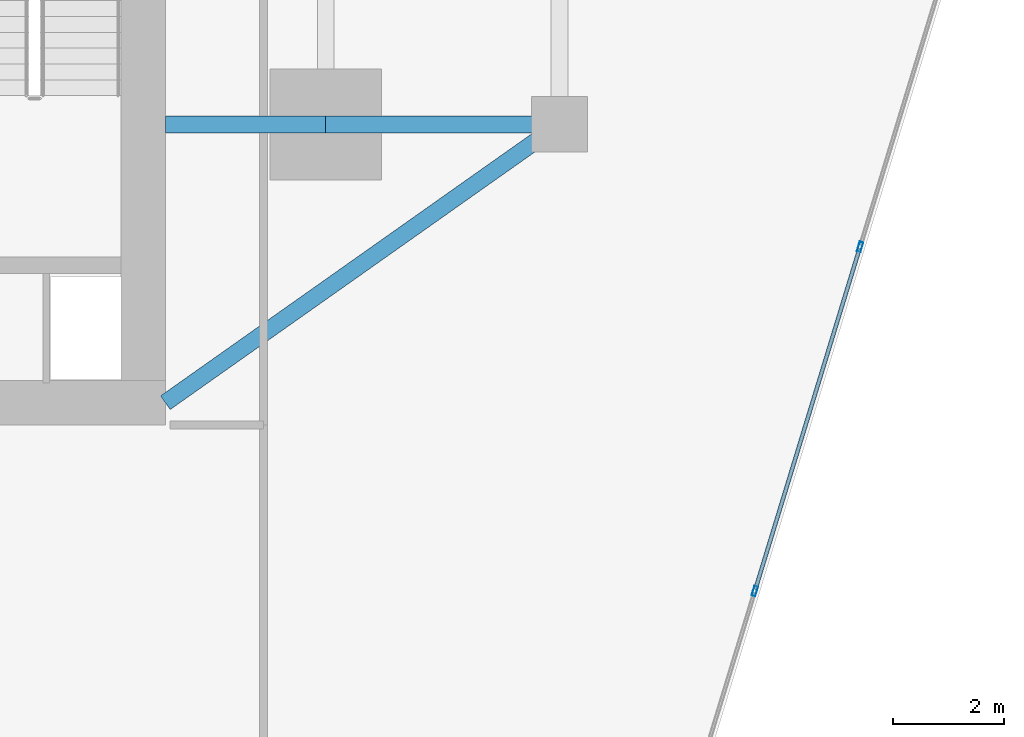
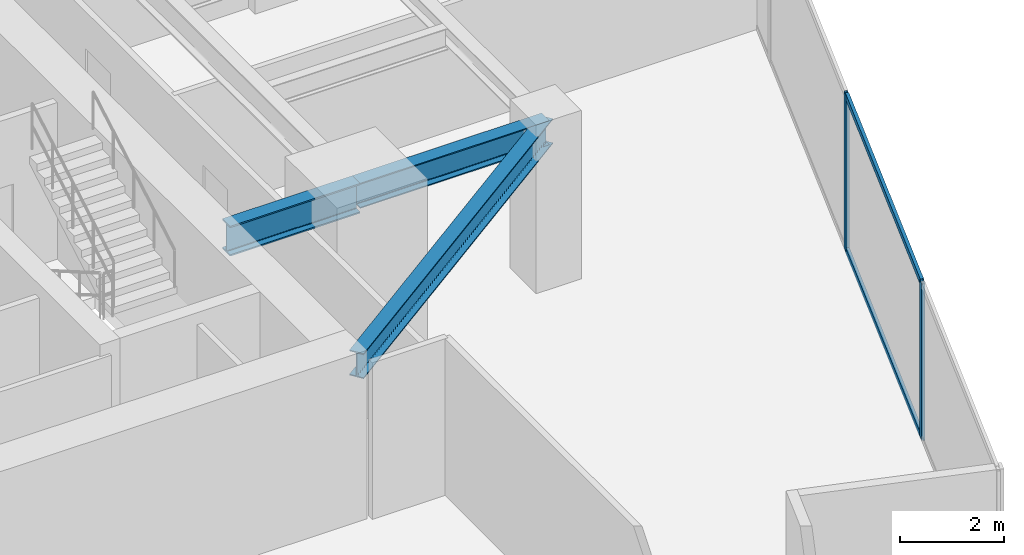
# One storey, part 10 of 26: 4 members, 3 beams, 1 element without a shape of its own.
"""IFC4 building model written with IfcOpenShell, lengths in metres."""

from ifc_helpers import new_model, si_unit, direction, frame, origin, origin_2d, place, context, subcontext, project, spatial, hollow_rectangle, i_section, extrude, source, transform, mapped, material, material_profile, profile_set, type_object, type_shapes, element, aggregate, save


model = new_model("IFC4")

# Units and contexts
model_context = context("Model", 3, precision=1e-05, world=origin(), true_north=direction((0.0, 1.0)))
body_context = subcontext(model_context, "Body", "Model", "MODEL_VIEW")
ifc_project = project(units=[si_unit("LENGTHUNIT", "METRE"), si_unit("AREAUNIT", "SQUARE_METRE"), si_unit("VOLUMEUNIT", "CUBIC_METRE"), si_unit("PLANEANGLEUNIT", "RADIAN"), si_unit("MASSUNIT", "GRAM", prefix="KILO")], contexts=[model_context])

# Site, building, storey
site_placement = place(None, origin())
site = spatial("IfcSite", under=ifc_project, at=site_placement, CompositionType="ELEMENT")
building_placement = place(site_placement, origin())
building = spatial("IfcBuilding", under=site, at=building_placement, Name="Krantzveldt Concourse Tower", CompositionType="ELEMENT")
storey_placement = place(building_placement, frame((0.0, 0.0, 113.75)))
storey = spatial("IfcBuildingStorey", under=building, at=storey_placement, Name="L27", CompositionType="ELEMENT", Elevation=113.75)

# Beams
ifc_material_1 = material(Name="Steel S355J2", Category="steel")
ifc_material_profile_1 = material_profile(ifc_material_1, i_section(OverallWidth=0.300048828125, OverallDepth=0.699951171875, WebThickness=0.01708984375, FlangeThickness=0.031982421875, FilletRadius=0.027099609375, at=origin_2d()), Name="Steel S355J2", Category="steel")
ifc_profile_set_1 = profile_set([ifc_material_profile_1], Name="Steel S355J2 - HEB 700")
beam_type_1 = type_object("IfcBeamType", Name="BM-B-HEB700", PredefinedType="BEAM", material=ifc_profile_set_1)
shared_shape_1 = source(origin(), body_context, "Body", "SweptSolid", [
    extrude(i_section(OverallWidth=0.300048828125, OverallDepth=0.699951171875, WebThickness=0.01708984375, FlangeThickness=0.031982421875, FilletRadius=0.027099609375, at=origin_2d()), origin(), (0.0, 0.0, 1.0), 2.880126953125),
])
type_shapes(beam_type_1, [shared_shape_1])
beam_1_placement = place(storey_placement, frame((43.919921875, 15.89990234375, 3.320068359375), z_axis=(1.0, 0.0, 0.0), x_axis=(0.0, 1.0, 0.0)))
element("IfcBeam", 1, at=beam_1_placement, inside=storey, type_object=beam_type_1, Name="L27 Tower Girder BG-CE1", PredefinedType="BEAM", context=body_context, shape_type="MappedRepresentation", body=[
    mapped(shared_shape_1, transform((0.0, 0.0, 0.0), x_axis=(1.0, 0.0, 0.0), y_axis=(0.0, 1.0, 0.0), z_axis=(0.0, 0.0, 1.0), scale=1.0)),
])
ifc_material_2 = material(Name="Steel S355JR", Category="steel")
ifc_material_profile_2 = material_profile(ifc_material_2, i_section(OverallWidth=0.300048828125, OverallDepth=0.590087890625, WebThickness=0.012939453125, FlangeThickness=0.02490234375, FilletRadius=0.027099609375, at=origin_2d()), Name="Steel S355JR", Category="steel")
ifc_profile_set_2 = profile_set([ifc_material_profile_2], Name="Steel S355JR - HEA 600")
beam_type_2 = type_object("IfcBeamType", Name="BM-B-HEA600", PredefinedType="BEAM", material=ifc_profile_set_2)
shared_shape_2 = source(origin(), body_context, "Body", "SweptSolid", [
    extrude(i_section(OverallWidth=0.300048828125, OverallDepth=0.590087890625, WebThickness=0.012939453125, FlangeThickness=0.02490234375, FilletRadius=0.027099609375, at=origin_2d()), origin(), (0.0, 0.0, 1.0), 4.199951171875),
])
beam_2_placement = place(storey_placement, frame((46.800048828125, 15.89990234375, 3.375), z_axis=(1.0, 0.0, 0.0), x_axis=(0.0, 1.0, 0.0)))
element("IfcBeam", 2, at=beam_2_placement, inside=storey, type_object=beam_type_2, Name="L27 Tower Girder BR-RR1", PredefinedType="BEAM", context=body_context, shape_type="MappedRepresentation", body=[
    mapped(shared_shape_2, transform((0.0, 0.0, 0.0), x_axis=(1.0, 0.0, 0.0), y_axis=(0.0, 1.0, 0.0), z_axis=(0.0, 0.0, 1.0), scale=1.0)),
])
shared_shape_3 = source(origin(), body_context, "Body", "SweptSolid", [
    extrude(i_section(OverallWidth=0.300048828125, OverallDepth=0.590087890625, WebThickness=0.012939453125, FlangeThickness=0.02490234375, FilletRadius=0.027099609375, at=origin_2d()), origin(), (0.0, 0.0, 1.0), 8.667724609375),
])
type_shapes(beam_type_2, [shared_shape_2, shared_shape_3])
beam_3_placement = place(storey_placement, frame((51.0, 15.89990234375, 3.375), z_axis=(-0.81684294656, -0.576860122261, 0.0), x_axis=(0.576860122261, -0.81684294656, 0.0)))
element("IfcBeam", 3, at=beam_3_placement, inside=storey, type_object=beam_type_2, Name="L27 Tower Girder BR-CSE", PredefinedType="BEAM", context=body_context, shape_type="MappedRepresentation", body=[
    mapped(shared_shape_3, transform((0.0, 0.0, 0.0), x_axis=(1.0, 0.0, 0.0), y_axis=(0.0, 1.0, 0.0), z_axis=(0.0, 0.0, 1.0), scale=1.0)),
])

# Curtain wall, members
ifc_material_3 = material(Name="Anodised aluminium 6063-T6", Category="aluminium")
curtain_wall_type = type_object("IfcCurtainWallType", Name="CW2", PredefinedType="USERDEFINED", material=ifc_material_3)
curtain_wall_placement = place(storey_placement, origin())
curtain_wall = element("IfcCurtainWall", 4, at=curtain_wall_placement, inside=storey, type_object=curtain_wall_type, Name="CW-L27-F07", ObjectType="UNITISED CURTAIN WALL", PredefinedType="USERDEFINED")
ifc_material_profile_3 = material_profile(ifc_material_3, hollow_rectangle(XDim=0.070068359375, YDim=0.179931640625, WallThickness=0.0048828125, at=origin_2d()), Name="Anodised aluminium 6063-T6", Category="aluminium")
ifc_profile_set_3 = profile_set([ifc_material_profile_3], Name="Anodised aluminium 6063-T6 - ALU-MULL 180x70x5")
member_type_1 = type_object("IfcMemberType", Name="CW-MUL-180", PredefinedType="MULLION", material=ifc_profile_set_3)
shared_shape_4 = source(origin(), body_context, "Body", "SweptSolid", [
    extrude(hollow_rectangle(XDim=0.070068359375, YDim=0.179931640625, WallThickness=0.0048828125, at=origin_2d()), origin(), (0.0, 0.0, 1.0), 3.669921875),
])
type_shapes(member_type_1, [shared_shape_4])
member_1_placement = place(storey_placement, frame((54.510009765625, 7.5166015625, 0.0), z_axis=(0.0, 0.0, 1.0), x_axis=(-0.956304761423, 0.292371686864, 0.0)))
member_1 = element("IfcMember", 5, at=member_1_placement, type_object=member_type_1, Name="CW-Z12 mullion 2", PredefinedType="MULLION", context=body_context, shape_type="MappedRepresentation", body=[
    mapped(shared_shape_4, transform((0.0, 0.0, 0.0), x_axis=(1.0, 0.0, 0.0), y_axis=(0.0, 1.0, 0.0), z_axis=(0.0, 0.0, 1.0), scale=1.0)),
])
member_2_placement = place(storey_placement, frame((56.40087890625, 13.70068359375, 0.0), z_axis=(0.0, 0.0, 1.0), x_axis=(-0.956304761423, 0.292371686864, 0.0)))
member_2 = element("IfcMember", 6, at=member_2_placement, type_object=member_type_1, Name="CW-Z12 mullion 3", PredefinedType="MULLION", context=body_context, shape_type="MappedRepresentation", body=[
    mapped(shared_shape_4, transform((0.0, 0.0, 0.0), x_axis=(1.0, 0.0, 0.0), y_axis=(0.0, 1.0, 0.0), z_axis=(0.0, 0.0, 1.0), scale=1.0)),
])
ifc_material_profile_4 = material_profile(ifc_material_3, hollow_rectangle(XDim=0.070068359375, YDim=0.139892578125, WallThickness=0.0048828125, at=origin_2d()), Name="Anodised aluminium 6063-T6", Category="aluminium")
ifc_profile_set_4 = profile_set([ifc_material_profile_4], Name="Anodised aluminium 6063-T6 - ALU-TRAN 140x70x5")
member_type_2 = type_object("IfcMemberType", Name="CW-TRN-150", PredefinedType="USERDEFINED", material=ifc_profile_set_4)
shared_shape_5 = source(origin(), body_context, "Body", "SweptSolid", [
    extrude(hollow_rectangle(XDim=0.070068359375, YDim=0.139892578125, WallThickness=0.0048828125, at=origin_2d()), origin(), (0.0, 0.0, 1.0), 6.396728515625),
])
type_shapes(member_type_2, [shared_shape_5])
member_3_placement = place(storey_placement, frame((54.520263671875, 7.550048828125, 0.034912109375), z_axis=(0.292393067434, 0.956298224466, 0.0), x_axis=(-0.956298224466, 0.292393067434, 0.0)))
member_3 = element("IfcMember", 7, at=member_3_placement, type_object=member_type_2, Name="CW-Z12 transom 2.1", ObjectType="TRANSOM", PredefinedType="USERDEFINED", context=body_context, shape_type="MappedRepresentation", body=[
    mapped(shared_shape_5, transform((0.0, 0.0, 0.0), x_axis=(1.0, 0.0, 0.0), y_axis=(0.0, 1.0, 0.0), z_axis=(0.0, 0.0, 1.0), scale=1.0)),
])
member_4_placement = place(storey_placement, frame((54.520263671875, 7.550048828125, 3.635009765625), z_axis=(0.292393067434, 0.956298224466, 0.0), x_axis=(-0.956298224466, 0.292393067434, 0.0)))
member_4 = element("IfcMember", 8, at=member_4_placement, type_object=member_type_2, Name="CW-Z12 transom 2.2", ObjectType="TRANSOM", PredefinedType="USERDEFINED", context=body_context, shape_type="MappedRepresentation", body=[
    mapped(shared_shape_5, transform((0.0, 0.0, 0.0), x_axis=(1.0, 0.0, 0.0), y_axis=(0.0, 1.0, 0.0), z_axis=(0.0, 0.0, 1.0), scale=1.0)),
])
aggregate(curtain_wall, [member_1, member_2, member_3, member_4])

save(model, "model.ifc")
